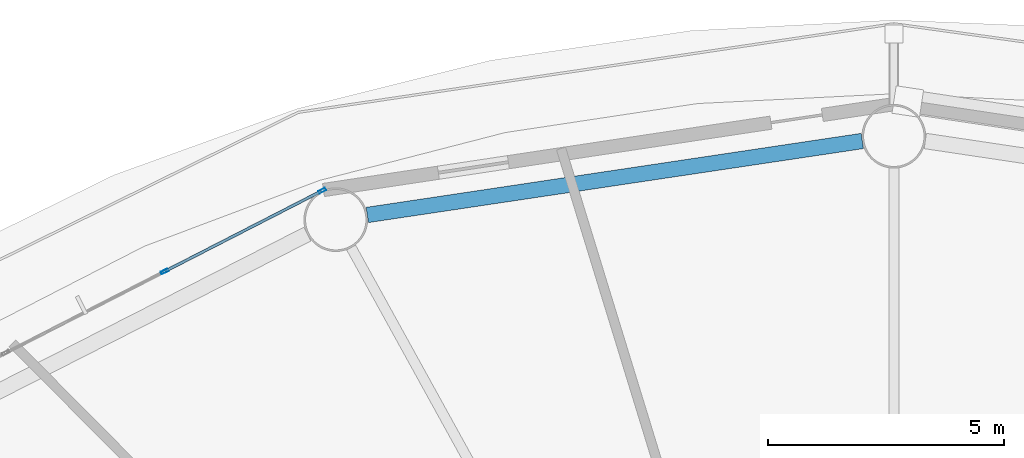
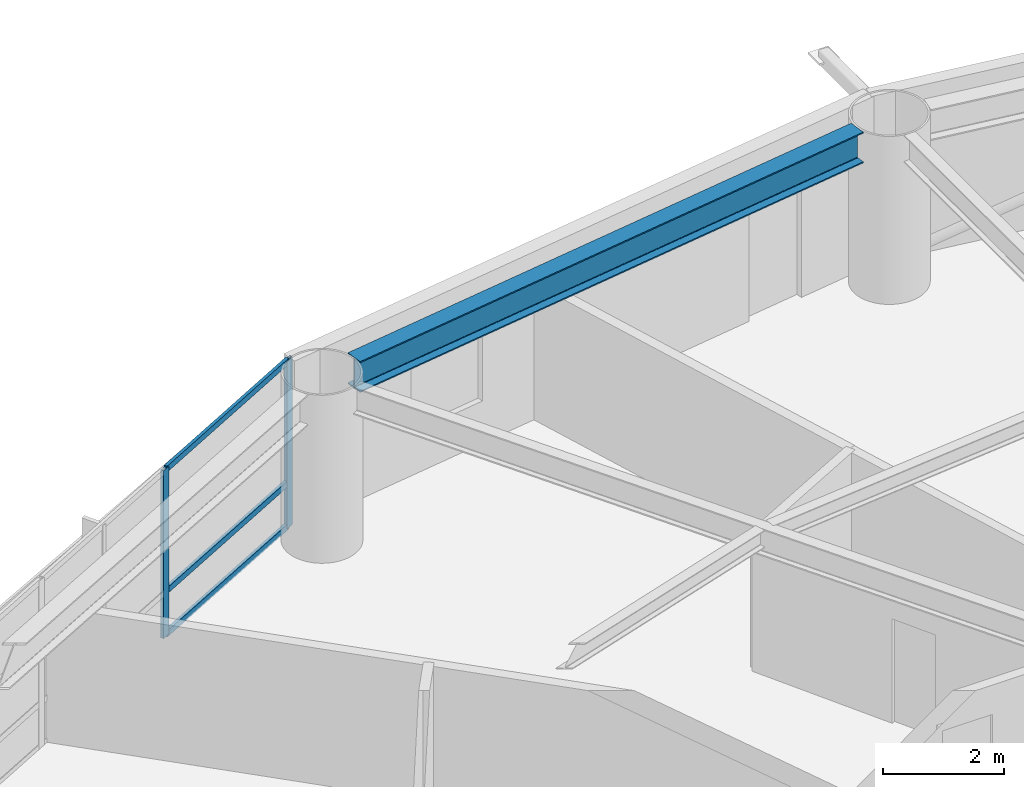
# One storey, part 12 of 26: 5 members, 1 beam, 1 element without a shape of its own.
"""IFC4 building model written with IfcOpenShell, lengths in metres."""

from ifc_helpers import new_model, si_unit, direction, frame, origin, origin_2d, place, context, subcontext, project, spatial, hollow_rectangle, i_section, extrude, material, layer, layer_set, material_profile, profile_set, type_object, element, aggregate, save


model = new_model("IFC4")

# Units and contexts
model_context = context("Model", 3, precision=1e-05, world=origin(), true_north=direction((0.0, 1.0)))
body_context = subcontext(model_context, "Body", "Model", "MODEL_VIEW")
ifc_project = project(units=[si_unit("LENGTHUNIT", "METRE"), si_unit("AREAUNIT", "SQUARE_METRE"), si_unit("VOLUMEUNIT", "CUBIC_METRE"), si_unit("PLANEANGLEUNIT", "RADIAN"), si_unit("MASSUNIT", "GRAM", prefix="KILO")], contexts=[model_context])

# Site, building, storey
site_placement = place(None, origin())
site = spatial("IfcSite", under=ifc_project, at=site_placement, CompositionType="ELEMENT")
building_placement = place(site_placement, origin())
building = spatial("IfcBuilding", under=site, at=building_placement, Name="Sarneth Arch Tower", CompositionType="ELEMENT")
storey_placement = place(building_placement, frame((0.0, 0.0, 57.0)))
storey = spatial("IfcBuildingStorey", under=building, at=storey_placement, Name="L13", CompositionType="ELEMENT", Elevation=57.0)

# Beam
ifc_material_1 = material(Name="Steel S355", Category="steel")
ifc_material_profile_1 = material_profile(ifc_material_1, i_section(OverallWidth=0.326904296875, OverallDepth=0.6220703125, WebThickness=0.015380859375, FlangeThickness=0.0244140625, FilletRadius=0.01904296875, at=origin_2d()), Name="W610x195")
ifc_profile_set_1 = profile_set([ifc_material_profile_1], Name="Steel S355")
beam_type = type_object("IfcBeamType", Name="BM-SPAN-610A", PredefinedType="SPANDREL", material=ifc_profile_set_1)
beam_placement = place(storey_placement, frame((47.33251953125, 65.100341796875, 3.069091796875), z_axis=(-0.989015788086, -0.147809914809, 0.0), x_axis=(0.147809914809, -0.989015788086, 0.0)))
element("IfcBeam", 1, at=beam_placement, inside=storey, type_object=beam_type, Name="L13 Perimeter spandrel beam 05", PredefinedType="SPANDREL", context=body_context, shape_type="SweptSolid", body=[
    extrude(i_section(OverallWidth=0.326904296875, OverallDepth=0.6220703125, WebThickness=0.015380859375, FlangeThickness=0.0244140625, FilletRadius=0.01904296875, at=origin_2d()), origin(), (0.0, 0.0, 1.0), 10.59912109375),
])

# Curtain wall, members
ifc_material_2 = material(Name="Anodised aluminium Type AA25 and solar-control low-e laminated IGU", Category="aluminium")
ifc_layer = layer(ifc_material_2, 0.159912109375)
ifc_layer_set = layer_set([ifc_layer], Name="Anodised aluminium Type AA25 and solar-control low-e laminated IGU")
curtain_wall_type = type_object("IfcCurtainWallType", Name="CW-HOTEL-LOW", PredefinedType="NOTDEFINED", material=ifc_layer_set)
curtain_wall_placement = place(storey_placement, origin())
curtain_wall = element("IfcCurtainWall", 2, at=curtain_wall_placement, inside=storey, type_object=curtain_wall_type, Name="L13 Unitised curtain wall facet 06", PredefinedType="NOTDEFINED")
ifc_material_3 = material(Name="Anodised Aluminium 6063-T6", Category="aluminium")
ifc_material_profile_2 = material_profile(ifc_material_3, hollow_rectangle(XDim=0.06005859375, YDim=0.159912109375, WallThickness=0.00390625, at=origin_2d()), Name="AL-MULL-160x60x4")
ifc_profile_set_2 = profile_set([ifc_material_profile_2], Name="Anodised Aluminium 6063-T6")
member_type_1 = type_object("IfcMemberType", Name="CW-MULLION", PredefinedType="MULLION", material=ifc_profile_set_2)
member_1_placement = place(storey_placement, frame((35.8955078125, 64.048583984375, 0.0), z_axis=(0.0, 0.0, 1.0), x_axis=(0.456245197127, -0.889854100456, 0.0)))
member_1 = element("IfcMember", 3, at=member_1_placement, type_object=member_type_1, Name="CW-SYS-3 mullion 1", PredefinedType="MULLION", context=body_context, shape_type="SweptSolid", body=[
    extrude(hollow_rectangle(XDim=0.06005859375, YDim=0.159912109375, WallThickness=0.00390625, at=origin_2d()), origin(), (0.0, 0.0, 1.0), 3.3798828125),
])
member_2_placement = place(storey_placement, frame((32.556640625, 62.336669921875, 0.0), z_axis=(0.0, 0.0, 1.0), x_axis=(0.456245197127, -0.889854100456, 0.0)))
member_2 = element("IfcMember", 4, at=member_2_placement, type_object=member_type_1, Name="CW-SYS-3 mullion 2", PredefinedType="MULLION", context=body_context, shape_type="SweptSolid", body=[
    extrude(hollow_rectangle(XDim=0.06005859375, YDim=0.159912109375, WallThickness=0.00390625, at=origin_2d()), origin(), (0.0, 0.0, 1.0), 3.3798828125),
])
ifc_material_4 = material(Name="Anodised Aluminium 6063-T6", Category="aluminium")
ifc_material_profile_3 = material_profile(ifc_material_4, hollow_rectangle(XDim=0.06005859375, YDim=0.1201171875, WallThickness=0.00390625, at=origin_2d()), Name="AL-TRAN-120x60x4")
ifc_profile_set_3 = profile_set([ifc_material_profile_3], Name="Anodised Aluminium 6063-T6")
member_type_2 = type_object("IfcMemberType", Name="CW-TRANSOM", PredefinedType="USERDEFINED", material=ifc_profile_set_3)
member_3_placement = place(storey_placement, frame((35.86865234375, 64.034912109375, 0.030029296875), z_axis=(-0.889831232102, -0.456289796485, 0.0), x_axis=(0.456289796485, -0.889831232102, 0.0)))
member_3 = element("IfcMember", 5, at=member_3_placement, type_object=member_type_2, Name="CW-SYS-3 transom 1.1", ObjectType="TRANSOM", PredefinedType="USERDEFINED", context=body_context, shape_type="SweptSolid", body=[
    extrude(hollow_rectangle(XDim=0.06005859375, YDim=0.1201171875, WallThickness=0.00390625, at=origin_2d()), origin(), (0.0, 0.0, 1.0), 3.69189453125),
])
member_4_placement = place(storey_placement, frame((35.86865234375, 64.034912109375, 0.89990234375), z_axis=(-0.889831232102, -0.456289796485, 0.0), x_axis=(0.456289796485, -0.889831232102, 0.0)))
member_4 = element("IfcMember", 6, at=member_4_placement, type_object=member_type_2, Name="CW-SYS-3 transom 1.2", ObjectType="TRANSOM", PredefinedType="USERDEFINED", context=body_context, shape_type="SweptSolid", body=[
    extrude(hollow_rectangle(XDim=0.06005859375, YDim=0.1201171875, WallThickness=0.00390625, at=origin_2d()), origin(), (0.0, 0.0, 1.0), 3.69189453125),
])
member_5_placement = place(storey_placement, frame((35.86865234375, 64.034912109375, 3.35009765625), z_axis=(-0.889831232102, -0.456289796485, 0.0), x_axis=(0.456289796485, -0.889831232102, 0.0)))
member_5 = element("IfcMember", 7, at=member_5_placement, type_object=member_type_2, Name="CW-SYS-3 transom 1.3", ObjectType="TRANSOM", PredefinedType="USERDEFINED", context=body_context, shape_type="SweptSolid", body=[
    extrude(hollow_rectangle(XDim=0.06005859375, YDim=0.1201171875, WallThickness=0.00390625, at=origin_2d()), origin(), (0.0, 0.0, 1.0), 3.69189453125),
])
aggregate(curtain_wall, [member_1, member_2, member_3, member_4, member_5])

save(model, "model.ifc")
